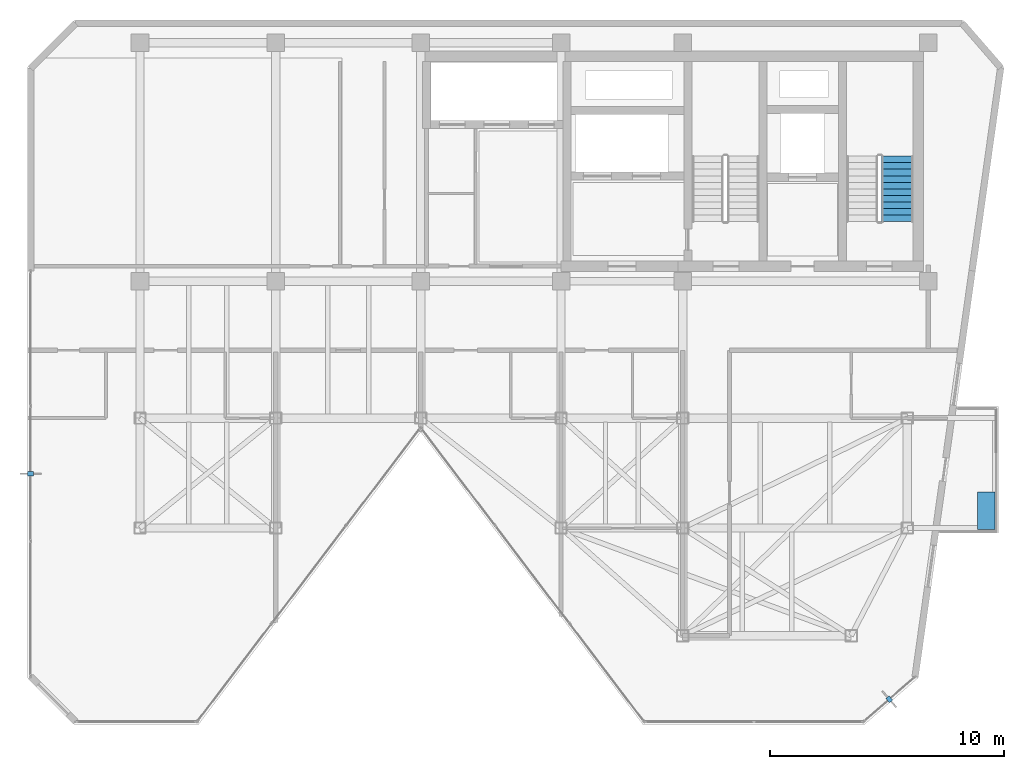
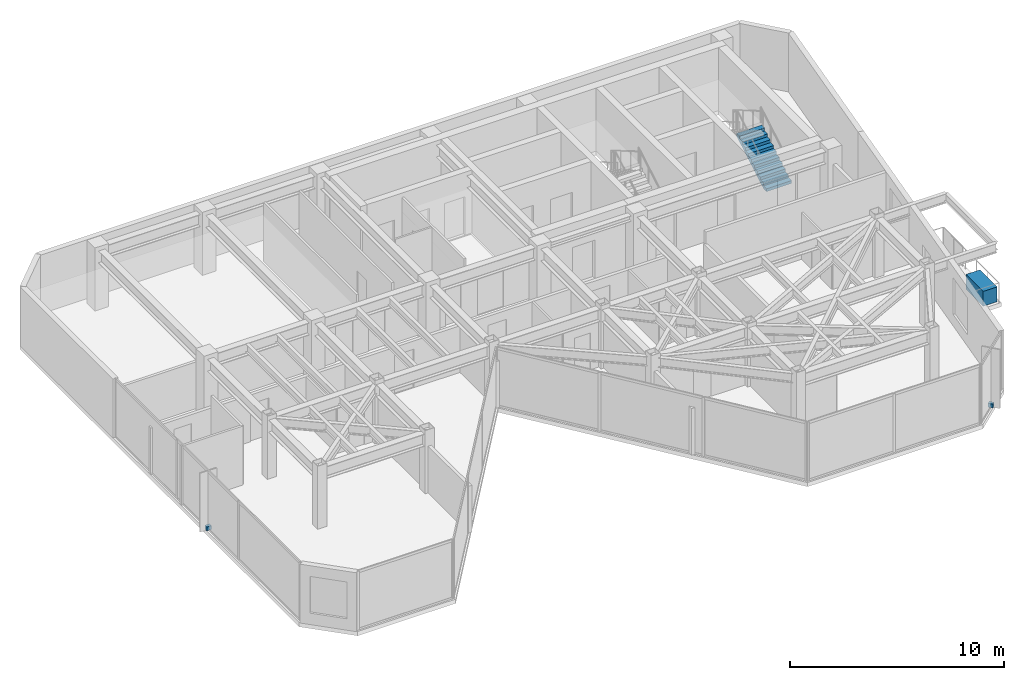
# One storey, part 17 of 19: 3 discrete accessories, 1 stair flight, 1 element without a shape of its own.
"""IFC4 building model written with IfcOpenShell, lengths in metres."""

import ifcopenshell
import ifcopenshell.guid

model = None  # the IFC model being written
_history = None  # IfcOwnerHistory: only IFC2X3 demands one
_inside = {}  # id of a spatial element -> (the spatial element, [elements in it])
_under = {}  # id of a project, library or spatial element -> (it, [spatial elements below it])
_declared = {}  # id of a project -> (the project, [libraries it declares])
_typed = {}  # id of a type object -> (the type object, [elements of that type])
_made_of = {}  # id of a material, layer set ... -> (it, [elements and type objects made of it])


def new_model(schema):
    """Start an empty IFC model of exactly this schema.

    Asked for "IFC4X3", IfcOpenShell would pick the latest addendum, in which some entities
    have other attributes; the version numbers below select the first issue.
    IFC2X3 requires an IfcOwnerHistory on every rooted entity: one is made here for all.
    """
    global model, _history
    if schema == "IFC4X3":
        model = ifcopenshell.file(schema_version=(4, 3, 0, 0))
    else:
        model = ifcopenshell.file(schema=schema)
    _inside.clear()
    _under.clear()
    _declared.clear()
    _typed.clear()
    _made_of.clear()
    _history = None
    if model.schema == "IFC2X3":
        org = make("IfcOrganization", Name="unknown")
        user = make(
            "IfcPersonAndOrganization",
            ThePerson=make("IfcPerson", FamilyName="unknown"),
            TheOrganization=org,
        )
        app = make(
            "IfcApplication",
            ApplicationDeveloper=org,
            Version="unknown",
            ApplicationFullName="unknown",
            ApplicationIdentifier="unknown",
        )
        _history = make(
            "IfcOwnerHistory",
            OwningUser=user,
            OwningApplication=app,
            ChangeAction="ADDED",
            CreationDate=0,
        )
    return model


def make(cls, **values):
    """One entity of the class cls with the attributes given. An attribute that is None is left unset."""
    return model.create_entity(
        cls, **{name: value for name, value in values.items() if value is not None}
    )


def rooted(cls, **values):
    """An entity with a GlobalId (a new one), such as an element, a storey or a relation."""
    return make(cls, GlobalId=ifcopenshell.guid.new(), OwnerHistory=_history, **values)


def si_unit(unit_type, name, prefix=None):
    """IfcSIUnit, for example si_unit("LENGTHUNIT", "METRE", prefix="MILLI")."""
    return make("IfcSIUnit", UnitType=unit_type, Prefix=prefix, Name=name)


def assignment(units):
    """IfcUnitAssignment: the units of a project."""
    return None if units is None else make("IfcUnitAssignment", Units=units)


def point(xyz):
    """IfcCartesianPoint."""
    return None if xyz is None else make("IfcCartesianPoint", Coordinates=xyz)


def direction(xyz):
    """IfcDirection."""
    return None if xyz is None else make("IfcDirection", DirectionRatios=xyz)


def frame(location, z_axis=None, x_axis=None):
    """IfcAxis2Placement3D, a coordinate frame: its origin and axes. An axis left out is left unset."""
    return make(
        "IfcAxis2Placement3D",
        Location=point(location),
        Axis=direction(z_axis),
        RefDirection=direction(x_axis),
    )


def frame_2d(location, x_axis=None):
    """IfcAxis2Placement2D, a coordinate frame in the plane: its origin and x axis."""
    return make(
        "IfcAxis2Placement2D", Location=point(location), RefDirection=direction(x_axis)
    )


def origin():
    """The frame at (0, 0, 0) with its axes left unset."""
    return frame((0.0, 0.0, 0.0))


def origin_2d():
    """The frame at (0, 0) in the plane with its x axis left unset."""
    return frame_2d((0.0, 0.0))


def place(relative_to, where):
    """IfcLocalPlacement: puts the frame where relative to a parent placement (None: the world)."""
    return make(
        "IfcLocalPlacement", PlacementRelTo=relative_to, RelativePlacement=where
    )


def context(
    kind, dimensions, precision=None, world=None, true_north=None, identifier=None
):
    """IfcGeometricRepresentationContext, for example the 3D "Model" context."""
    return make(
        "IfcGeometricRepresentationContext",
        ContextIdentifier=identifier,
        ContextType=kind,
        CoordinateSpaceDimension=dimensions,
        Precision=precision,
        WorldCoordinateSystem=world,
        TrueNorth=true_north,
    )


def subcontext(parent, identifier, kind, view, scale=None):
    """IfcGeometricRepresentationSubContext, for example "Body" below "Model"."""
    return make(
        "IfcGeometricRepresentationSubContext",
        ContextIdentifier=identifier,
        ContextType=kind,
        ParentContext=parent,
        TargetScale=scale,
        TargetView=view,
    )


def project(units=None, contexts=None):
    """IfcProject with its units and contexts."""
    return rooted(
        "IfcProject",
        Name="project",
        RepresentationContexts=contexts,
        UnitsInContext=assignment(units),
    )


def spatial(cls, under=None, at=None, **own):
    """A site, building, storey or space (cls), placed at a placement, below another one or the project."""
    s = rooted(cls, ObjectPlacement=at, **own)
    if under is not None:
        _under.setdefault(under.id(), (under, []))[1].append(s)
    return s


def polyline(points):
    """IfcPolyline through the points."""
    return make("IfcPolyline", Points=[point(p) for p in points])


def profile(cls, at=None, kind="AREA", **sizes):
    """A parametric profile (cls). Its sizes go by their IFC names, for example OverallWidth=200.0."""
    return make(cls, ProfileType=kind, Position=at, **sizes)


def rectangle(**sizes):
    """IfcRectangleProfileDef."""
    return profile("IfcRectangleProfileDef", **sizes)


def outline(outer, holes=None, kind="AREA"):
    """IfcArbitraryClosedProfileDef: a profile drawn as a closed curve; with holes, ...WithVoids."""
    if holes is None:
        return make("IfcArbitraryClosedProfileDef", ProfileType=kind, OuterCurve=outer)
    return make(
        "IfcArbitraryProfileDefWithVoids",
        ProfileType=kind,
        OuterCurve=outer,
        InnerCurves=holes,
    )


def extrude(swept, where, along, depth):
    """IfcExtrudedAreaSolid: the profile swept, set in the frame where, extruded along a direction by depth."""
    return make(
        "IfcExtrudedAreaSolid",
        SweptArea=swept,
        Position=where,
        ExtrudedDirection=direction(along),
        Depth=depth,
    )


def shape(context_of_items, identifier, shape_type, items):
    """IfcShapeRepresentation: the items that make up one representation, for example the "Body"."""
    return make(
        "IfcShapeRepresentation",
        ContextOfItems=context_of_items,
        RepresentationIdentifier=identifier,
        RepresentationType=shape_type,
        Items=items,
    )


def material(Name=None, Category=None):
    """IfcMaterial."""
    return make("IfcMaterial", Name=Name, Category=Category)


def layer(
    of_material, thickness, ventilated=None, Name=None, Category=None, Priority=None
):
    """IfcMaterialLayer: one layer of a wall or slab, of a material (None: an air gap)."""
    return make(
        "IfcMaterialLayer",
        Material=of_material,
        LayerThickness=thickness,
        IsVentilated=ventilated,
        Name=Name,
        Category=Category,
        Priority=Priority,
    )


def layer_set(layers, Name=None):
    """IfcMaterialLayerSet."""
    return make("IfcMaterialLayerSet", MaterialLayers=layers, LayerSetName=Name)


def made_of(thing, what):
    """Note that an element or type object is made of a material, layer set ...; save() writes the relation."""
    if what is not None:
        _made_of.setdefault(what.id(), (what, []))[1].append(thing)
    return thing


def type_object(cls, material=None, **own):
    """A type object (cls), such as IfcWallType, which elements share."""
    return made_of(rooted(cls, **own), material)


def element(
    cls,
    number,
    at=None,
    inside=None,
    cuts=None,
    type_object=None,
    material=None,
    context=None,
    identifier="Body",
    shape_type=None,
    held_by="IfcProductDefinitionShape",
    body=None,
    shapes=None,
    **own,
):
    """One element of the class cls, such as IfcWall. Its Tag is "e" and its number.

    at: its placement. inside: the storey or other place that contains it. cuts: it is an
    opening in that element (IfcRelVoidsElement). A single representation is given by context,
    identifier, shape_type and body (its items); several are given by shapes. held_by: the class
    of the entity that holds the representations. save() writes the other relations.
    """
    e = rooted(cls, Tag="e%d" % number, ObjectPlacement=at, **own)
    if body is not None:
        shapes = [shape(context, identifier, shape_type, body)]
    if shapes is not None:
        e.Representation = make(held_by, Representations=shapes)
    if inside is not None:
        _inside.setdefault(inside.id(), (inside, []))[1].append(e)
    if cuts is not None:
        rooted(
            "IfcRelVoidsElement", RelatingBuildingElement=cuts, RelatedOpeningElement=e
        )
    if type_object is not None:
        _typed.setdefault(type_object.id(), (type_object, []))[1].append(e)
    return made_of(e, material)


def aggregate(whole, parts):
    """IfcRelAggregates: a whole, such as a stair, and the parts it consists of."""
    return rooted("IfcRelAggregates", RelatingObject=whole, RelatedObjects=parts)


def save(model, path):
    """Write the relations noted so far, then the file.

    IfcRelAggregates (storeys below a building ...), IfcRelContainedInSpatialStructure (elements
    in a storey), IfcRelDefinesByType, IfcRelAssociatesMaterial and IfcRelDeclares: one each for
    every whole, place, type object, material and project.
    """
    for whole, parts in _under.values():
        aggregate(whole, parts)
    for where, things in _inside.values():
        rooted(
            "IfcRelContainedInSpatialStructure",
            RelatedElements=things,
            RelatingStructure=where,
        )
    for kind, things in _typed.values():
        rooted("IfcRelDefinesByType", RelatedObjects=things, RelatingType=kind)
    for what, things in _made_of.values():
        rooted("IfcRelAssociatesMaterial", RelatedObjects=things, RelatingMaterial=what)
    for by, libraries in _declared.values():
        rooted("IfcRelDeclares", RelatingContext=by, RelatedDefinitions=libraries)
    model.write(path)


model = new_model("IFC4")

# Units and contexts
model_context = context("Model", 3, precision=1e-05, world=origin(), true_north=direction((0.0, 1.0)))
body_context = subcontext(model_context, "Body", "Model", "MODEL_VIEW")
ifc_project = project(units=[si_unit("LENGTHUNIT", "METRE"), si_unit("AREAUNIT", "SQUARE_METRE"), si_unit("VOLUMEUNIT", "CUBIC_METRE"), si_unit("PLANEANGLEUNIT", "RADIAN"), si_unit("MASSUNIT", "GRAM", prefix="KILO")], contexts=[model_context])

# Site, building, storey
site_placement = place(None, origin())
site = spatial("IfcSite", under=ifc_project, at=site_placement, CompositionType="ELEMENT")
building_placement = place(site_placement, origin())
building = spatial("IfcBuilding", under=site, at=building_placement, Name="Kravanh Interchange Tower", CompositionType="ELEMENT")
storey_placement = place(building_placement, frame((0.0, 0.0, 267.0)))
storey = spatial("IfcBuildingStorey", under=building, at=storey_placement, Name="L65", CompositionType="ELEMENT", Elevation=267.0)

# Stair, stair flight
ifc_material_1 = material(Name="Concrete C50/60", Category="concrete")
stair_type = type_object("IfcStairType", Name="Core Fire Exit Dogleg Stair Concrete C50/60", PredefinedType="HALF_TURN_STAIR", material=ifc_material_1)
stair_placement = place(storey_placement, origin())
stair = element("IfcStair", 1, at=stair_placement, inside=storey, type_object=stair_type, Name="L65 Exit Stair ST1", PredefinedType="HALF_TURN_STAIR")
ifc_material_2 = material(Name="Precast Concrete C50/60", Category="concrete")
ifc_layer = layer(ifc_material_2, 0.199951171875)
ifc_layer_set = layer_set([ifc_layer], Name="Precast Concrete C50/60 Stair Flight 1350mm")
stair_flight_type = type_object("IfcStairFlightType", Name="Precast Concrete C50/60 Stair Flight 1350mm", PredefinedType="STRAIGHT", material=ifc_layer_set)
stair_flight_placement = place(storey_placement, frame((65.175048828125, 39.89990234375, 0.0), z_axis=(0.0, 0.0, 1.0), x_axis=(0.0, 1.0, 0.0)))
stair_flight = element("IfcStairFlight", 2, at=stair_flight_placement, type_object=stair_flight_type, Name="ST1 flight 1", NumberOfRisers=11, NumberOfTreads=10, PredefinedType="STRAIGHT", RiserHeight=0.163636364, TreadLength=0.28, context=body_context, shape_type="SweptSolid", body=[
    extrude(outline(polyline([(0.0, 0.0), (0.0, 0.16357421875), (0.280029296875, 0.16357421875), (0.280029296875, 0.327392578125), (0.56005859375, 0.327392578125), (0.56005859375, 0.490966796875), (0.840087890625, 0.490966796875), (0.840087890625, 0.654541015625), (1.1201171875, 0.654541015625), (1.1201171875, 0.818115234375), (1.39990234375, 0.818115234375), (1.39990234375, 0.98193359375), (1.679931640625, 0.98193359375), (1.679931640625, 1.1455078125), (1.9599609375, 1.1455078125), (1.9599609375, 1.30908203125), (2.239990234375, 1.30908203125), (2.239990234375, 1.47265625), (2.52001953125, 1.47265625), (2.52001953125, 1.636474609375), (2.800048828125, 1.636474609375), (2.800048828125, 1.800048828125), (2.800048828125, 1.462646484375), (0.297119140625, 0.0), (0.0, 0.0)])), frame((0.0, 0.675048828125, 0.0), z_axis=(0.0, -1.0, 0.0), x_axis=(1.0, 0.0, 0.0)), (0.0, 0.0, 1.0), 1.35009765625),
])
aggregate(stair, [stair_flight])

# Discrete accessories
ifc_material_3 = material(Name="Stainless Steel 316", Category="steel")
discrete_accessory_type_1 = type_object("IfcDiscreteAccessoryType", Name="Solar Fin Curtain-Wall Mounting Bracket Stainless 316", PredefinedType="BRACKET", material=ifc_material_3)
for number, where, z_axis, x_axis, name in (
    (3, (28.1201171875, 29.125, 0.0), (0.0, 0.0, 1.0), (-1.0, 0.0, 0.0), "L65 Solar Fin Mounting Bracket 1"),
    (4, (64.830078125, 19.480712890625, 0.0), (0.0, 0.0, 1.0), (0.656043386928, -0.754723177376, 0.0), "L65 Solar Fin Mounting Bracket 2"),
):
    element("IfcDiscreteAccessory", number, at=place(storey_placement, frame(where, z_axis=z_axis, x_axis=x_axis)), inside=storey, type_object=discrete_accessory_type_1, Name=name, PredefinedType="BRACKET", context=body_context, shape_type="SweptSolid", body=[
        extrude(rectangle(XDim=0.239990234375, YDim=0.179931640625, at=origin_2d()), origin(), (0.0, 0.0, 1.0), 0.219970703125),
    ])
ifc_material_4 = material(Name="Architectural GRC Concrete C40/50 with Root Barrier", Category="concrete")
discrete_accessory_type_2 = type_object("IfcDiscreteAccessoryType", Name="Structural Balcony Tree Planter Box Concrete C40/50 1600x750x850", PredefinedType="USERDEFINED", material=ifc_material_4)
discrete_accessory_placement = place(storey_placement, frame((68.969970703125, 27.5400390625, 0.0), z_axis=(0.0, 0.0, 1.0), x_axis=(1.0, 0.0, 0.0)))
element("IfcDiscreteAccessory", 5, at=discrete_accessory_placement, inside=storey, type_object=discrete_accessory_type_2, Name="L65 E Balcony TREE PLANTER", ObjectType="PLANTER", PredefinedType="USERDEFINED", context=body_context, shape_type="SweptSolid", body=[
    extrude(rectangle(XDim=0.75, YDim=1.60009765625, at=origin_2d()), origin(), (0.0, 0.0, 1.0), 0.85009765625),
])

save(model, "model.ifc")
